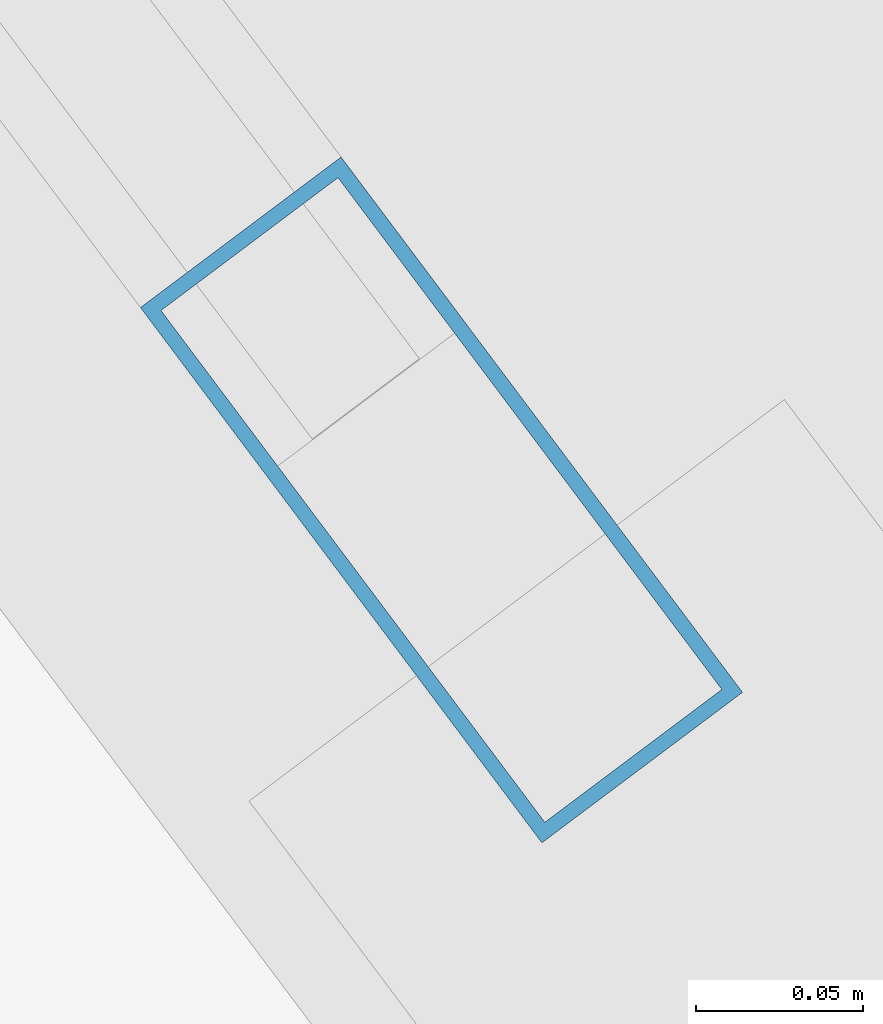
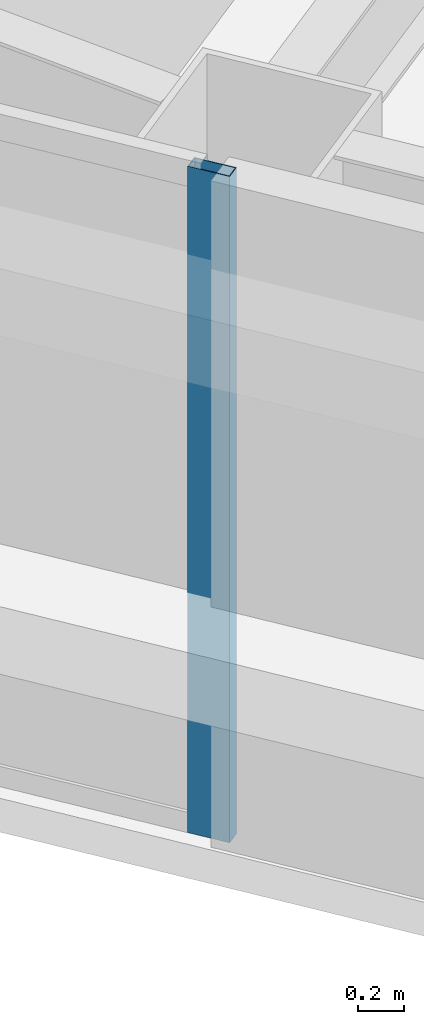
# One storey, part 23 of 50: 1 member, 1 element without a shape of its own.
"""IFC4 building model written with IfcOpenShell, lengths in metres."""

from ifc_helpers import new_model, si_unit, direction, frame, origin, origin_2d, place, context, subcontext, project, spatial, hollow_rectangle, extrude, material, material_profile, profile_set, type_object, element, aggregate, save


model = new_model("IFC4")

# Units and contexts
model_context = context("Model", 3, precision=1e-05, world=origin(), true_north=direction((0.0, 1.0)))
body_context = subcontext(model_context, "Body", "Model", "MODEL_VIEW")
ifc_project = project(units=[si_unit("LENGTHUNIT", "METRE"), si_unit("AREAUNIT", "SQUARE_METRE"), si_unit("VOLUMEUNIT", "CUBIC_METRE"), si_unit("PLANEANGLEUNIT", "RADIAN"), si_unit("MASSUNIT", "GRAM", prefix="KILO")], contexts=[model_context])

# Site, building, storey
site_placement = place(None, origin())
site = spatial("IfcSite", under=ifc_project, at=site_placement, CompositionType="ELEMENT")
building_placement = place(site_placement, origin())
building = spatial("IfcBuilding", under=site, at=building_placement, Name="Tashvorn Skyway Center", CompositionType="ELEMENT")
storey_placement = place(building_placement, frame((0.0, 0.0, 114.39990234375)))
storey = spatial("IfcBuildingStorey", under=building, at=storey_placement, Name="L30", CompositionType="ELEMENT", Elevation=114.39990234375)

# Curtain wall, member
ifc_material = material(Name="Thermally broken bronze-anodized aluminium 6063-T6", Category="aluminium")
curtain_wall_type = type_object("IfcCurtainWallType", Name="CW-CW-Z3", PredefinedType="NOTDEFINED", material=ifc_material)
curtain_wall_placement = place(storey_placement, origin())
curtain_wall = element("IfcCurtainWall", 1, at=curtain_wall_placement, inside=storey, type_object=curtain_wall_type, Name="Tower 2 L30 West Unitised Curtain Wall Glazing Group 2", PredefinedType="NOTDEFINED")
ifc_material_profile = material_profile(ifc_material, hollow_rectangle(XDim=0.074951171875, YDim=0.199951171875, WallThickness=0.00439453125, at=origin_2d()), Name="ALU-MULL-75x200")
ifc_profile_set = profile_set([ifc_material_profile], Name="Thermally broken bronze-anodized aluminium 6063-T6")
member_type = type_object("IfcMemberType", Name="CWM-CW-Z3", PredefinedType="MULLION", material=ifc_profile_set)
member_placement = place(storey_placement, frame((96.177490234375, 25.296630859375, 0.0), z_axis=(0.0, 0.0, 1.0), x_axis=(-0.799998866489, -0.600001511345, 0.0)))
member = element("IfcMember", 2, at=member_placement, type_object=member_type, Name="CW-Z3 mullion 1", PredefinedType="MULLION", context=body_context, shape_type="SweptSolid", body=[
    extrude(hollow_rectangle(XDim=0.074951171875, YDim=0.199951171875, WallThickness=0.00439453125, at=origin_2d()), origin(), (0.0, 0.0, 1.0), 3.550048828125),
])
aggregate(curtain_wall, [member])

save(model, "model.ifc")
